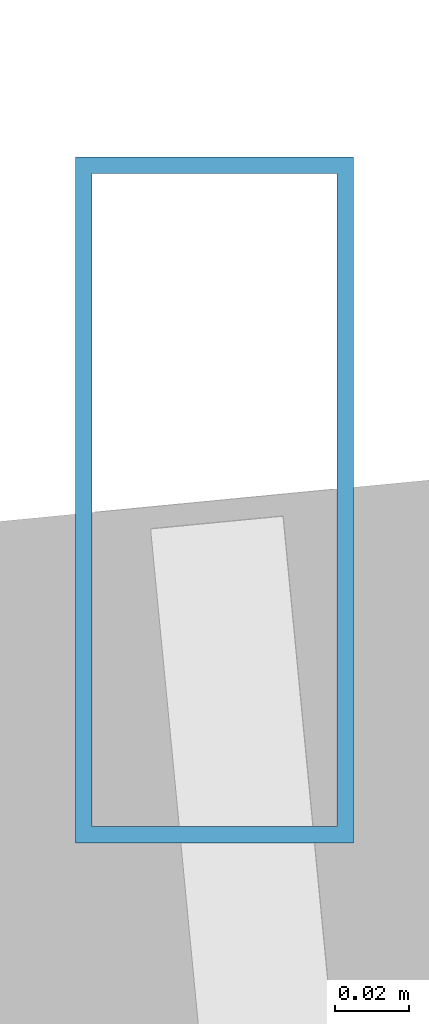
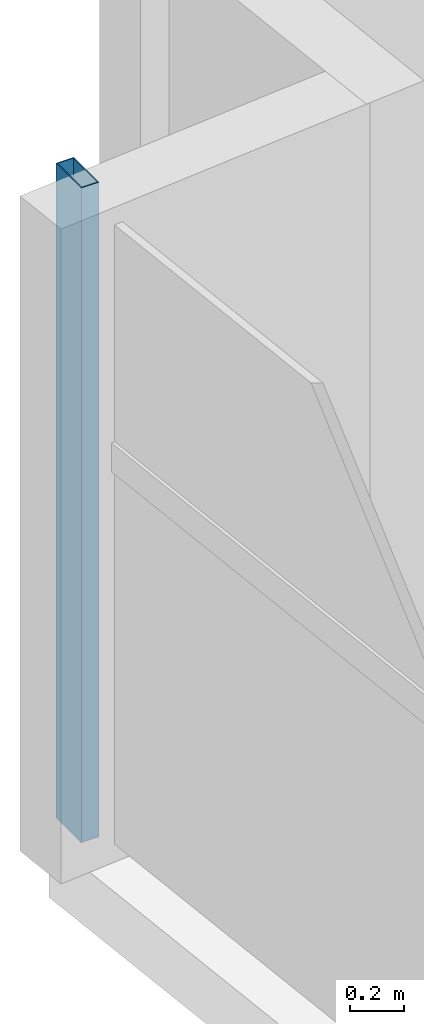
# One storey, part 8 of 27: 1 member, 1 element without a shape of its own.
"""IFC4 building model written with IfcOpenShell, lengths in metres."""

import ifcopenshell
import ifcopenshell.guid

model = None  # the IFC model being written
_history = None  # IfcOwnerHistory: only IFC2X3 demands one
_inside = {}  # id of a spatial element -> (the spatial element, [elements in it])
_under = {}  # id of a project, library or spatial element -> (it, [spatial elements below it])
_declared = {}  # id of a project -> (the project, [libraries it declares])
_typed = {}  # id of a type object -> (the type object, [elements of that type])
_made_of = {}  # id of a material, layer set ... -> (it, [elements and type objects made of it])


def new_model(schema):
    """Start an empty IFC model of exactly this schema.

    Asked for "IFC4X3", IfcOpenShell would pick the latest addendum, in which some entities
    have other attributes; the version numbers below select the first issue.
    IFC2X3 requires an IfcOwnerHistory on every rooted entity: one is made here for all.
    """
    global model, _history
    if schema == "IFC4X3":
        model = ifcopenshell.file(schema_version=(4, 3, 0, 0))
    else:
        model = ifcopenshell.file(schema=schema)
    _inside.clear()
    _under.clear()
    _declared.clear()
    _typed.clear()
    _made_of.clear()
    _history = None
    if model.schema == "IFC2X3":
        org = make("IfcOrganization", Name="unknown")
        user = make(
            "IfcPersonAndOrganization",
            ThePerson=make("IfcPerson", FamilyName="unknown"),
            TheOrganization=org,
        )
        app = make(
            "IfcApplication",
            ApplicationDeveloper=org,
            Version="unknown",
            ApplicationFullName="unknown",
            ApplicationIdentifier="unknown",
        )
        _history = make(
            "IfcOwnerHistory",
            OwningUser=user,
            OwningApplication=app,
            ChangeAction="ADDED",
            CreationDate=0,
        )
    return model


def make(cls, **values):
    """One entity of the class cls with the attributes given. An attribute that is None is left unset."""
    return model.create_entity(
        cls, **{name: value for name, value in values.items() if value is not None}
    )


def rooted(cls, **values):
    """An entity with a GlobalId (a new one), such as an element, a storey or a relation."""
    return make(cls, GlobalId=ifcopenshell.guid.new(), OwnerHistory=_history, **values)


def si_unit(unit_type, name, prefix=None):
    """IfcSIUnit, for example si_unit("LENGTHUNIT", "METRE", prefix="MILLI")."""
    return make("IfcSIUnit", UnitType=unit_type, Prefix=prefix, Name=name)


def assignment(units):
    """IfcUnitAssignment: the units of a project."""
    return None if units is None else make("IfcUnitAssignment", Units=units)


def point(xyz):
    """IfcCartesianPoint."""
    return None if xyz is None else make("IfcCartesianPoint", Coordinates=xyz)


def direction(xyz):
    """IfcDirection."""
    return None if xyz is None else make("IfcDirection", DirectionRatios=xyz)


def frame(location, z_axis=None, x_axis=None):
    """IfcAxis2Placement3D, a coordinate frame: its origin and axes. An axis left out is left unset."""
    return make(
        "IfcAxis2Placement3D",
        Location=point(location),
        Axis=direction(z_axis),
        RefDirection=direction(x_axis),
    )


def frame_2d(location, x_axis=None):
    """IfcAxis2Placement2D, a coordinate frame in the plane: its origin and x axis."""
    return make(
        "IfcAxis2Placement2D", Location=point(location), RefDirection=direction(x_axis)
    )


def origin():
    """The frame at (0, 0, 0) with its axes left unset."""
    return frame((0.0, 0.0, 0.0))


def origin_2d():
    """The frame at (0, 0) in the plane with its x axis left unset."""
    return frame_2d((0.0, 0.0))


def place(relative_to, where):
    """IfcLocalPlacement: puts the frame where relative to a parent placement (None: the world)."""
    return make(
        "IfcLocalPlacement", PlacementRelTo=relative_to, RelativePlacement=where
    )


def context(
    kind, dimensions, precision=None, world=None, true_north=None, identifier=None
):
    """IfcGeometricRepresentationContext, for example the 3D "Model" context."""
    return make(
        "IfcGeometricRepresentationContext",
        ContextIdentifier=identifier,
        ContextType=kind,
        CoordinateSpaceDimension=dimensions,
        Precision=precision,
        WorldCoordinateSystem=world,
        TrueNorth=true_north,
    )


def subcontext(parent, identifier, kind, view, scale=None):
    """IfcGeometricRepresentationSubContext, for example "Body" below "Model"."""
    return make(
        "IfcGeometricRepresentationSubContext",
        ContextIdentifier=identifier,
        ContextType=kind,
        ParentContext=parent,
        TargetScale=scale,
        TargetView=view,
    )


def project(units=None, contexts=None):
    """IfcProject with its units and contexts."""
    return rooted(
        "IfcProject",
        Name="project",
        RepresentationContexts=contexts,
        UnitsInContext=assignment(units),
    )


def spatial(cls, under=None, at=None, **own):
    """A site, building, storey or space (cls), placed at a placement, below another one or the project."""
    s = rooted(cls, ObjectPlacement=at, **own)
    if under is not None:
        _under.setdefault(under.id(), (under, []))[1].append(s)
    return s


def profile(cls, at=None, kind="AREA", **sizes):
    """A parametric profile (cls). Its sizes go by their IFC names, for example OverallWidth=200.0."""
    return make(cls, ProfileType=kind, Position=at, **sizes)


def hollow_rectangle(**sizes):
    """IfcRectangleHollowProfileDef."""
    return profile("IfcRectangleHollowProfileDef", **sizes)


def extrude(swept, where, along, depth):
    """IfcExtrudedAreaSolid: the profile swept, set in the frame where, extruded along a direction by depth."""
    return make(
        "IfcExtrudedAreaSolid",
        SweptArea=swept,
        Position=where,
        ExtrudedDirection=direction(along),
        Depth=depth,
    )


def shape(context_of_items, identifier, shape_type, items):
    """IfcShapeRepresentation: the items that make up one representation, for example the "Body"."""
    return make(
        "IfcShapeRepresentation",
        ContextOfItems=context_of_items,
        RepresentationIdentifier=identifier,
        RepresentationType=shape_type,
        Items=items,
    )


def source(mapping_origin, context_of_items, identifier, shape_type, items):
    """IfcRepresentationMap: a shape defined once, which mapped items show again and again."""
    return make(
        "IfcRepresentationMap",
        MappingOrigin=mapping_origin,
        MappedRepresentation=shape(context_of_items, identifier, shape_type, items),
    )


def transform(
    local_origin,
    x_axis=None,
    y_axis=None,
    z_axis=None,
    scale=None,
    scale2=None,
    scale3=None,
    uniform=True,
):
    """IfcCartesianTransformationOperator3D, or its non-uniform kind. x_axis, y_axis, z_axis: its Axis1, 2, 3."""
    if uniform:
        return make(
            "IfcCartesianTransformationOperator3D",
            Axis1=direction(x_axis),
            Axis2=direction(y_axis),
            LocalOrigin=point(local_origin),
            Scale=scale,
            Axis3=direction(z_axis),
        )
    return make(
        "IfcCartesianTransformationOperator3DnonUniform",
        Axis1=direction(x_axis),
        Axis2=direction(y_axis),
        LocalOrigin=point(local_origin),
        Scale=scale,
        Axis3=direction(z_axis),
        Scale2=scale2,
        Scale3=scale3,
    )


def mapped(mapping_source, mapping_target):
    """IfcMappedItem: shows the shape of a source again, moved by a transform."""
    return make(
        "IfcMappedItem", MappingSource=mapping_source, MappingTarget=mapping_target
    )


def material(Name=None, Category=None):
    """IfcMaterial."""
    return make("IfcMaterial", Name=Name, Category=Category)


def material_profile(
    of_material, cross_section, Name=None, Category=None, Priority=None
):
    """IfcMaterialProfile: a cross section and its material."""
    return make(
        "IfcMaterialProfile",
        Name=Name,
        Material=of_material,
        Profile=cross_section,
        Priority=Priority,
        Category=Category,
    )


def profile_set(profiles, Name=None, composite=None):
    """IfcMaterialProfileSet."""
    return make(
        "IfcMaterialProfileSet",
        Name=Name,
        MaterialProfiles=profiles,
        CompositeProfile=composite,
    )


def made_of(thing, what):
    """Note that an element or type object is made of a material, layer set ...; save() writes the relation."""
    if what is not None:
        _made_of.setdefault(what.id(), (what, []))[1].append(thing)
    return thing


def type_object(cls, material=None, **own):
    """A type object (cls), such as IfcWallType, which elements share."""
    return made_of(rooted(cls, **own), material)


def type_shapes(of_type, sources):
    """Give a type object the sources (RepresentationMaps) that its elements show as mapped items."""
    of_type.RepresentationMaps = sources


def element(
    cls,
    number,
    at=None,
    inside=None,
    cuts=None,
    type_object=None,
    material=None,
    context=None,
    identifier="Body",
    shape_type=None,
    held_by="IfcProductDefinitionShape",
    body=None,
    shapes=None,
    **own,
):
    """One element of the class cls, such as IfcWall. Its Tag is "e" and its number.

    at: its placement. inside: the storey or other place that contains it. cuts: it is an
    opening in that element (IfcRelVoidsElement). A single representation is given by context,
    identifier, shape_type and body (its items); several are given by shapes. held_by: the class
    of the entity that holds the representations. save() writes the other relations.
    """
    e = rooted(cls, Tag="e%d" % number, ObjectPlacement=at, **own)
    if body is not None:
        shapes = [shape(context, identifier, shape_type, body)]
    if shapes is not None:
        e.Representation = make(held_by, Representations=shapes)
    if inside is not None:
        _inside.setdefault(inside.id(), (inside, []))[1].append(e)
    if cuts is not None:
        rooted(
            "IfcRelVoidsElement", RelatingBuildingElement=cuts, RelatedOpeningElement=e
        )
    if type_object is not None:
        _typed.setdefault(type_object.id(), (type_object, []))[1].append(e)
    return made_of(e, material)


def aggregate(whole, parts):
    """IfcRelAggregates: a whole, such as a stair, and the parts it consists of."""
    return rooted("IfcRelAggregates", RelatingObject=whole, RelatedObjects=parts)


def save(model, path):
    """Write the relations noted so far, then the file.

    IfcRelAggregates (storeys below a building ...), IfcRelContainedInSpatialStructure (elements
    in a storey), IfcRelDefinesByType, IfcRelAssociatesMaterial and IfcRelDeclares: one each for
    every whole, place, type object, material and project.
    """
    for whole, parts in _under.values():
        aggregate(whole, parts)
    for where, things in _inside.values():
        rooted(
            "IfcRelContainedInSpatialStructure",
            RelatedElements=things,
            RelatingStructure=where,
        )
    for kind, things in _typed.values():
        rooted("IfcRelDefinesByType", RelatedObjects=things, RelatingType=kind)
    for what, things in _made_of.values():
        rooted("IfcRelAssociatesMaterial", RelatedObjects=things, RelatingMaterial=what)
    for by, libraries in _declared.values():
        rooted("IfcRelDeclares", RelatingContext=by, RelatedDefinitions=libraries)
    model.write(path)


model = new_model("IFC4")

# Units and contexts
model_context = context("Model", 3, precision=1e-05, world=origin(), true_north=direction((0.0, 1.0)))
body_context = subcontext(model_context, "Body", "Model", "MODEL_VIEW")
ifc_project = project(units=[si_unit("LENGTHUNIT", "METRE"), si_unit("AREAUNIT", "SQUARE_METRE"), si_unit("VOLUMEUNIT", "CUBIC_METRE"), si_unit("PLANEANGLEUNIT", "RADIAN"), si_unit("MASSUNIT", "GRAM", prefix="KILO")], contexts=[model_context])

# Site, building, storey
site_placement = place(None, origin())
site = spatial("IfcSite", under=ifc_project, at=site_placement, CompositionType="ELEMENT")
building_placement = place(site_placement, origin())
building = spatial("IfcBuilding", under=site, at=building_placement, Name="Astriad Promenade Condominiums", CompositionType="ELEMENT")
storey_placement = place(building_placement, frame((0.0, 0.0, 109.800048828125)))
storey = spatial("IfcBuildingStorey", under=building, at=storey_placement, Name="L31", CompositionType="ELEMENT", Elevation=109.800048828125)

# Curtain wall, member
ifc_material_1 = material(Name="Anodised aluminium Black Dark Glass Unitised", Category="aluminium")
curtain_wall_type = type_object("IfcCurtainWallType", Name="CW-B2-DARK", PredefinedType="USERDEFINED", material=ifc_material_1)
curtain_wall_placement = place(storey_placement, origin())
curtain_wall = element("IfcCurtainWall", 1, at=curtain_wall_placement, inside=storey, type_object=curtain_wall_type, Name="CW-L31-W", ObjectType="UNITISED_CURTAIN_WALL", PredefinedType="USERDEFINED")
ifc_material_2 = material(Name="Anodised aluminium 6063-T6 Black", Category="aluminium")
ifc_material_profile = material_profile(ifc_material_2, hollow_rectangle(XDim=0.074951171875, YDim=0.18505859375, WallThickness=0.00439453125, at=origin_2d()), Name="ALU-MUL-75X185")
ifc_profile_set = profile_set([ifc_material_profile], Name="Anodised aluminium 6063-T6 Black")
member_type = type_object("IfcMemberType", Name="MUL-ALU-MUL-75X185", PredefinedType="MULLION", material=ifc_profile_set)
shared_shape = source(origin(), body_context, "Body", "SweptSolid", [
    extrude(hollow_rectangle(XDim=0.074951171875, YDim=0.18505859375, WallThickness=0.00439453125, at=origin_2d()), origin(), (0.0, 0.0, 1.0), 2.93994140625),
])
type_shapes(member_type, [shared_shape])
member_placement = place(storey_placement, frame((8.94775390625, 20.921875, 0.0), z_axis=(0.0, 0.0, 1.0), x_axis=(1.0, 0.0, 0.0)))
member = element("IfcMember", 2, at=member_placement, type_object=member_type, Name="CW-L31-W-MUL-03", PredefinedType="MULLION", context=body_context, shape_type="MappedRepresentation", body=[
    mapped(shared_shape, transform((0.0, 0.0, 0.0), scale=1.0)),
])
aggregate(curtain_wall, [member])

save(model, "model.ifc")
